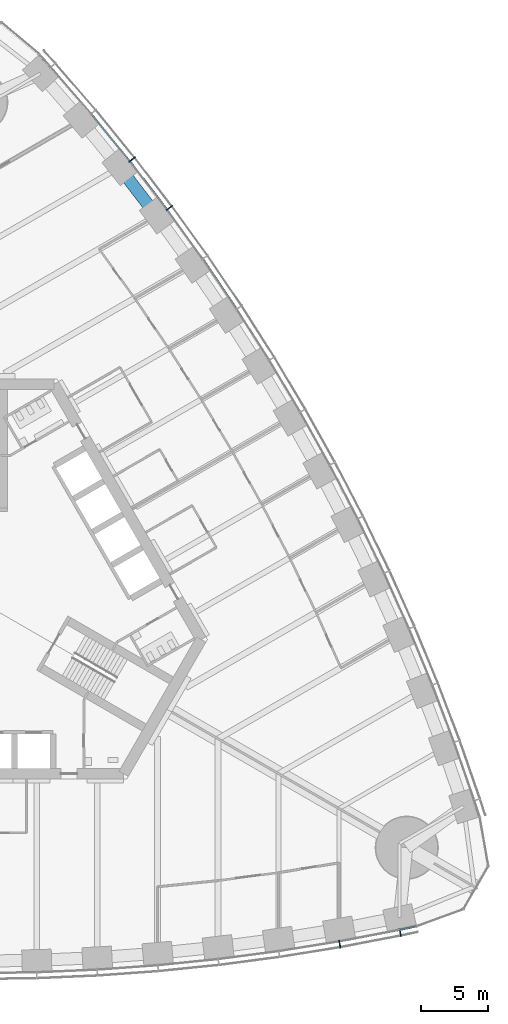
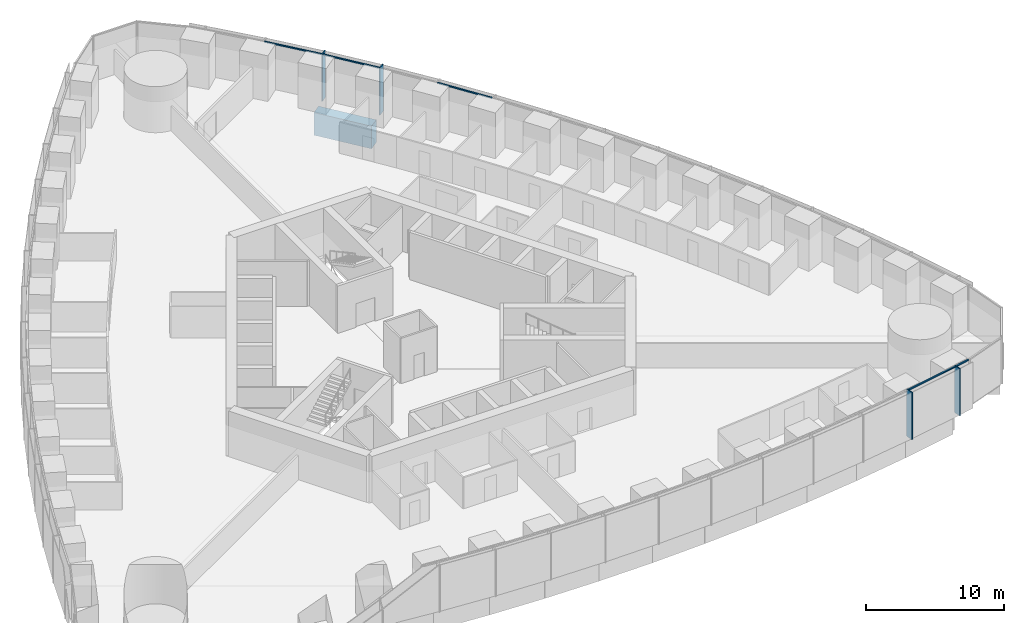
# One storey, part 5 of 19: 9 members, 1 beam, 2 elements without a shape of their own.
"""IFC4 building model written with IfcOpenShell, lengths in metres."""

import ifcopenshell
import ifcopenshell.guid

model = None  # the IFC model being written
_history = None  # IfcOwnerHistory: only IFC2X3 demands one
_inside = {}  # id of a spatial element -> (the spatial element, [elements in it])
_under = {}  # id of a project, library or spatial element -> (it, [spatial elements below it])
_declared = {}  # id of a project -> (the project, [libraries it declares])
_typed = {}  # id of a type object -> (the type object, [elements of that type])
_made_of = {}  # id of a material, layer set ... -> (it, [elements and type objects made of it])


def new_model(schema):
    """Start an empty IFC model of exactly this schema.

    Asked for "IFC4X3", IfcOpenShell would pick the latest addendum, in which some entities
    have other attributes; the version numbers below select the first issue.
    IFC2X3 requires an IfcOwnerHistory on every rooted entity: one is made here for all.
    """
    global model, _history
    if schema == "IFC4X3":
        model = ifcopenshell.file(schema_version=(4, 3, 0, 0))
    else:
        model = ifcopenshell.file(schema=schema)
    _inside.clear()
    _under.clear()
    _declared.clear()
    _typed.clear()
    _made_of.clear()
    _history = None
    if model.schema == "IFC2X3":
        org = make("IfcOrganization", Name="unknown")
        user = make(
            "IfcPersonAndOrganization",
            ThePerson=make("IfcPerson", FamilyName="unknown"),
            TheOrganization=org,
        )
        app = make(
            "IfcApplication",
            ApplicationDeveloper=org,
            Version="unknown",
            ApplicationFullName="unknown",
            ApplicationIdentifier="unknown",
        )
        _history = make(
            "IfcOwnerHistory",
            OwningUser=user,
            OwningApplication=app,
            ChangeAction="ADDED",
            CreationDate=0,
        )
    return model


def make(cls, **values):
    """One entity of the class cls with the attributes given. An attribute that is None is left unset."""
    return model.create_entity(
        cls, **{name: value for name, value in values.items() if value is not None}
    )


def rooted(cls, **values):
    """An entity with a GlobalId (a new one), such as an element, a storey or a relation."""
    return make(cls, GlobalId=ifcopenshell.guid.new(), OwnerHistory=_history, **values)


def si_unit(unit_type, name, prefix=None):
    """IfcSIUnit, for example si_unit("LENGTHUNIT", "METRE", prefix="MILLI")."""
    return make("IfcSIUnit", UnitType=unit_type, Prefix=prefix, Name=name)


def assignment(units):
    """IfcUnitAssignment: the units of a project."""
    return None if units is None else make("IfcUnitAssignment", Units=units)


def point(xyz):
    """IfcCartesianPoint."""
    return None if xyz is None else make("IfcCartesianPoint", Coordinates=xyz)


def direction(xyz):
    """IfcDirection."""
    return None if xyz is None else make("IfcDirection", DirectionRatios=xyz)


def frame(location, z_axis=None, x_axis=None):
    """IfcAxis2Placement3D, a coordinate frame: its origin and axes. An axis left out is left unset."""
    return make(
        "IfcAxis2Placement3D",
        Location=point(location),
        Axis=direction(z_axis),
        RefDirection=direction(x_axis),
    )


def frame_2d(location, x_axis=None):
    """IfcAxis2Placement2D, a coordinate frame in the plane: its origin and x axis."""
    return make(
        "IfcAxis2Placement2D", Location=point(location), RefDirection=direction(x_axis)
    )


def origin():
    """The frame at (0, 0, 0) with its axes left unset."""
    return frame((0.0, 0.0, 0.0))


def origin_2d():
    """The frame at (0, 0) in the plane with its x axis left unset."""
    return frame_2d((0.0, 0.0))


def place(relative_to, where):
    """IfcLocalPlacement: puts the frame where relative to a parent placement (None: the world)."""
    return make(
        "IfcLocalPlacement", PlacementRelTo=relative_to, RelativePlacement=where
    )


def context(
    kind, dimensions, precision=None, world=None, true_north=None, identifier=None
):
    """IfcGeometricRepresentationContext, for example the 3D "Model" context."""
    return make(
        "IfcGeometricRepresentationContext",
        ContextIdentifier=identifier,
        ContextType=kind,
        CoordinateSpaceDimension=dimensions,
        Precision=precision,
        WorldCoordinateSystem=world,
        TrueNorth=true_north,
    )


def subcontext(parent, identifier, kind, view, scale=None):
    """IfcGeometricRepresentationSubContext, for example "Body" below "Model"."""
    return make(
        "IfcGeometricRepresentationSubContext",
        ContextIdentifier=identifier,
        ContextType=kind,
        ParentContext=parent,
        TargetScale=scale,
        TargetView=view,
    )


def project(units=None, contexts=None):
    """IfcProject with its units and contexts."""
    return rooted(
        "IfcProject",
        Name="project",
        RepresentationContexts=contexts,
        UnitsInContext=assignment(units),
    )


def spatial(cls, under=None, at=None, **own):
    """A site, building, storey or space (cls), placed at a placement, below another one or the project."""
    s = rooted(cls, ObjectPlacement=at, **own)
    if under is not None:
        _under.setdefault(under.id(), (under, []))[1].append(s)
    return s


def profile(cls, at=None, kind="AREA", **sizes):
    """A parametric profile (cls). Its sizes go by their IFC names, for example OverallWidth=200.0."""
    return make(cls, ProfileType=kind, Position=at, **sizes)


def rectangle(**sizes):
    """IfcRectangleProfileDef."""
    return profile("IfcRectangleProfileDef", **sizes)


def extrude(swept, where, along, depth):
    """IfcExtrudedAreaSolid: the profile swept, set in the frame where, extruded along a direction by depth."""
    return make(
        "IfcExtrudedAreaSolid",
        SweptArea=swept,
        Position=where,
        ExtrudedDirection=direction(along),
        Depth=depth,
    )


def shape(context_of_items, identifier, shape_type, items):
    """IfcShapeRepresentation: the items that make up one representation, for example the "Body"."""
    return make(
        "IfcShapeRepresentation",
        ContextOfItems=context_of_items,
        RepresentationIdentifier=identifier,
        RepresentationType=shape_type,
        Items=items,
    )


def material(Name=None, Category=None):
    """IfcMaterial."""
    return make("IfcMaterial", Name=Name, Category=Category)


def material_profile(
    of_material, cross_section, Name=None, Category=None, Priority=None
):
    """IfcMaterialProfile: a cross section and its material."""
    return make(
        "IfcMaterialProfile",
        Name=Name,
        Material=of_material,
        Profile=cross_section,
        Priority=Priority,
        Category=Category,
    )


def profile_set(profiles, Name=None, composite=None):
    """IfcMaterialProfileSet."""
    return make(
        "IfcMaterialProfileSet",
        Name=Name,
        MaterialProfiles=profiles,
        CompositeProfile=composite,
    )


def made_of(thing, what):
    """Note that an element or type object is made of a material, layer set ...; save() writes the relation."""
    if what is not None:
        _made_of.setdefault(what.id(), (what, []))[1].append(thing)
    return thing


def type_object(cls, material=None, **own):
    """A type object (cls), such as IfcWallType, which elements share."""
    return made_of(rooted(cls, **own), material)


def element(
    cls,
    number,
    at=None,
    inside=None,
    cuts=None,
    type_object=None,
    material=None,
    context=None,
    identifier="Body",
    shape_type=None,
    held_by="IfcProductDefinitionShape",
    body=None,
    shapes=None,
    **own,
):
    """One element of the class cls, such as IfcWall. Its Tag is "e" and its number.

    at: its placement. inside: the storey or other place that contains it. cuts: it is an
    opening in that element (IfcRelVoidsElement). A single representation is given by context,
    identifier, shape_type and body (its items); several are given by shapes. held_by: the class
    of the entity that holds the representations. save() writes the other relations.
    """
    e = rooted(cls, Tag="e%d" % number, ObjectPlacement=at, **own)
    if body is not None:
        shapes = [shape(context, identifier, shape_type, body)]
    if shapes is not None:
        e.Representation = make(held_by, Representations=shapes)
    if inside is not None:
        _inside.setdefault(inside.id(), (inside, []))[1].append(e)
    if cuts is not None:
        rooted(
            "IfcRelVoidsElement", RelatingBuildingElement=cuts, RelatedOpeningElement=e
        )
    if type_object is not None:
        _typed.setdefault(type_object.id(), (type_object, []))[1].append(e)
    return made_of(e, material)


def aggregate(whole, parts):
    """IfcRelAggregates: a whole, such as a stair, and the parts it consists of."""
    return rooted("IfcRelAggregates", RelatingObject=whole, RelatedObjects=parts)


def save(model, path):
    """Write the relations noted so far, then the file.

    IfcRelAggregates (storeys below a building ...), IfcRelContainedInSpatialStructure (elements
    in a storey), IfcRelDefinesByType, IfcRelAssociatesMaterial and IfcRelDeclares: one each for
    every whole, place, type object, material and project.
    """
    for whole, parts in _under.values():
        aggregate(whole, parts)
    for where, things in _inside.values():
        rooted(
            "IfcRelContainedInSpatialStructure",
            RelatedElements=things,
            RelatingStructure=where,
        )
    for kind, things in _typed.values():
        rooted("IfcRelDefinesByType", RelatedObjects=things, RelatingType=kind)
    for what, things in _made_of.values():
        rooted("IfcRelAssociatesMaterial", RelatedObjects=things, RelatingMaterial=what)
    for by, libraries in _declared.values():
        rooted("IfcRelDeclares", RelatingContext=by, RelatedDefinitions=libraries)
    model.write(path)


model = new_model("IFC4")

# Units and contexts
model_context = context("Model", 3, precision=1e-05, world=origin(), true_north=direction((0.0, 1.0)))
body_context = subcontext(model_context, "Body", "Model", "MODEL_VIEW")
ifc_project = project(units=[si_unit("LENGTHUNIT", "METRE"), si_unit("AREAUNIT", "SQUARE_METRE"), si_unit("VOLUMEUNIT", "CUBIC_METRE"), si_unit("PLANEANGLEUNIT", "RADIAN"), si_unit("MASSUNIT", "GRAM", prefix="KILO")], contexts=[model_context])

# Site, building, storey
site_placement = place(None, origin())
site = spatial("IfcSite", under=ifc_project, at=site_placement, CompositionType="ELEMENT")
building_placement = place(site_placement, origin())
building = spatial("IfcBuilding", under=site, at=building_placement, Name="Trefoil Bronze Tower", CompositionType="ELEMENT")
storey_placement = place(building_placement, frame((0.0, 0.0, 79.5)))
storey = spatial("IfcBuildingStorey", under=building, at=storey_placement, Name="L18", CompositionType="ELEMENT", Elevation=79.5)

# Curtain wall, members
ifc_material_1 = material(Name="Tinted solar-control glass", Category="glass")
curtain_wall_type = type_object("IfcCurtainWallType", Name="Bronze office curtain wall", PredefinedType="USERDEFINED", material=ifc_material_1)
curtain_wall_1_placement = place(storey_placement, origin())
curtain_wall_1 = element("IfcCurtainWall", 1, at=curtain_wall_1_placement, inside=storey, type_object=curtain_wall_type, Name="CW-A L18 F1", ObjectType="CURTAIN WALL", PredefinedType="USERDEFINED")
ifc_material_2 = material(Name="Bronze-finish aluminium", Category="aluminium")
ifc_material_profile_1 = material_profile(ifc_material_2, rectangle(XDim=0.60009765625, YDim=0.080078125, at=origin_2d()), Name="CW-A mullion")
ifc_profile_set_1 = profile_set([ifc_material_profile_1], Name="Bronze-finish aluminium")
member_type_1 = type_object("IfcMemberType", Name="Bronze office curtain wall mullion", PredefinedType="MULLION", material=ifc_profile_set_1)
member_1_placement = place(storey_placement, frame((27.05224609375, -25.67578125, 0.0), z_axis=(0.0, 0.0, 1.0), x_axis=(-0.174131146426, 0.984722470468, 0.0)))
member_1 = element("IfcMember", 2, at=member_1_placement, type_object=member_type_1, Name="CW-A L18 F1 mullion 15", PredefinedType="MULLION", context=body_context, shape_type="SweptSolid", body=[
    extrude(rectangle(XDim=0.60009765625, YDim=0.080078125, at=origin_2d()), origin(), (0.0, 0.0, 1.0), 4.179931640625),
])
member_2_placement = place(storey_placement, frame((31.559326171875, -24.81005859375, 0.0), z_axis=(0.0, 0.0, 1.0), x_axis=(-0.197910006829, 0.98022019424, 0.0)))
member_2 = element("IfcMember", 3, at=member_2_placement, type_object=member_type_1, Name="CW-A L18 F1 mullion 16", PredefinedType="MULLION", context=body_context, shape_type="SweptSolid", body=[
    extrude(rectangle(XDim=0.60009765625, YDim=0.080078125, at=origin_2d()), origin(), (0.0, 0.0, 1.0), 4.179931640625),
])

curtain_wall_2_placement = place(storey_placement, origin())
curtain_wall_2 = element("IfcCurtainWall", 4, at=curtain_wall_2_placement, inside=storey, type_object=curtain_wall_type, Name="CW-A L18 F2", ObjectType="CURTAIN WALL", PredefinedType="USERDEFINED")
member_3_placement = place(storey_placement, frame((14.364013671875, 29.117919921875, 0.0), z_axis=(0.0, 0.0, 1.0), x_axis=(-0.802126748469, -0.59715381552, 0.0)))
member_3 = element("IfcMember", 5, at=member_3_placement, type_object=member_type_1, Name="CW-A L18 F2 mullion 13", PredefinedType="MULLION", context=body_context, shape_type="SweptSolid", body=[
    extrude(rectangle(XDim=0.60009765625, YDim=0.080078125, at=origin_2d()), origin(), (0.0, 0.0, 1.0), 4.179931640625),
])
member_4_placement = place(storey_placement, frame((11.595458984375, 32.7255859375, 0.0), z_axis=(0.0, 0.0, 1.0), x_axis=(-0.784304615744, -0.620375910011, 0.0)))
member_4 = element("IfcMember", 6, at=member_4_placement, type_object=member_type_1, Name="CW-A L18 F2 mullion 14", PredefinedType="MULLION", context=body_context, shape_type="SweptSolid", body=[
    extrude(rectangle(XDim=0.60009765625, YDim=0.080078125, at=origin_2d()), origin(), (0.0, 0.0, 1.0), 4.179931640625),
])

# Member
ifc_material_3 = material(Name="Bronze-finish aluminium", Category="aluminium")
ifc_material_profile_2 = material_profile(ifc_material_3, rectangle(XDim=0.1201171875, YDim=0.10009765625, at=origin_2d()), Name="CW-A transom")
ifc_profile_set_2 = profile_set([ifc_material_profile_2], Name="Bronze-finish aluminium")
member_type_2 = type_object("IfcMemberType", Name="Bronze office curtain wall transom", PredefinedType="USERDEFINED", material=ifc_profile_set_2)
member_5_placement = place(storey_placement, frame((27.05810546875, -25.470947265625, 4.1298828125), z_axis=(0.982053603997, 0.188602011855, 0.0), x_axis=(-0.188602011855, 0.982053603997, 0.0)))
member_5 = element("IfcMember", 7, at=member_5_placement, type_object=member_type_2, Name="CW-A L18 F1 transom 15", ObjectType="TRANSOM", PredefinedType="USERDEFINED", context=body_context, shape_type="SweptSolid", body=[
    extrude(rectangle(XDim=0.1201171875, YDim=0.10009765625, at=origin_2d()), origin(), (0.0, 0.0, 1.0), 4.502197265625),
])

member_6_placement = place(storey_placement, frame((31.559814453125, -24.605712890625, 4.1298828125), z_axis=(0.978266371807, 0.207352129942, 0.0), x_axis=(-0.207352129942, 0.978266371807, 0.0)))
member_6 = element("IfcMember", 8, at=member_6_placement, type_object=member_type_2, Name="CW-A L18 F1 transom 16", ObjectType="TRANSOM", PredefinedType="USERDEFINED", context=body_context, shape_type="SweptSolid", body=[
    extrude(rectangle(XDim=0.1201171875, YDim=0.10009765625, at=origin_2d()), origin(), (0.0, 0.0, 1.0), 1.21044921875),
])

aggregate(curtain_wall_1, [member_1, member_2, member_5, member_6])

member_7_placement = place(storey_placement, frame((19.364990234375, 21.627197265625, 4.1298828125), z_axis=(-0.561508153923, 0.827471203775, 0.0), x_axis=(-0.827471203775, -0.561508153923, 0.0)))
member_7 = element("IfcMember", 9, at=member_7_placement, type_object=member_type_2, Name="CW-A L18 F2 transom 11", ObjectType="TRANSOM", PredefinedType="USERDEFINED", context=body_context, shape_type="SweptSolid", body=[
    extrude(rectangle(XDim=0.1201171875, YDim=0.10009765625, at=origin_2d()), origin(), (0.0, 0.0, 1.0), 4.431884765625),
])

member_8_placement = place(storey_placement, frame((14.178466796875, 29.031494140625, 4.1298828125), z_axis=(-0.608829203216, 0.793301330713, 0.0), x_axis=(-0.793301330713, -0.608829203216, 0.0)))
member_8 = element("IfcMember", 10, at=member_8_placement, type_object=member_type_2, Name="CW-A L18 F2 transom 13", ObjectType="TRANSOM", PredefinedType="USERDEFINED", context=body_context, shape_type="SweptSolid", body=[
    extrude(rectangle(XDim=0.1201171875, YDim=0.10009765625, at=origin_2d()), origin(), (0.0, 0.0, 1.0), 4.458740234375),
])

member_9_placement = place(storey_placement, frame((11.412353515625, 32.6337890625, 4.1298828125), z_axis=(-0.631835540201, 0.775102477185, 0.0), x_axis=(-0.775102477185, -0.631835540201, 0.0)))
member_9 = element("IfcMember", 11, at=member_9_placement, type_object=member_type_2, Name="CW-A L18 F2 transom 14", ObjectType="TRANSOM", PredefinedType="USERDEFINED", context=body_context, shape_type="SweptSolid", body=[
    extrude(rectangle(XDim=0.1201171875, YDim=0.10009765625, at=origin_2d()), origin(), (0.0, 0.0, 1.0), 4.478271484375),
])

aggregate(curtain_wall_2, [member_3, member_4, member_7, member_8, member_9])

# Beam
ifc_material_4 = material(Name="Concrete B80", Category="concrete")
ifc_material_profile_3 = material_profile(ifc_material_4, rectangle(XDim=0.89990234375, YDim=2.0, at=origin_2d()), Name="RC 900x2000")
ifc_profile_set_3 = profile_set([ifc_material_profile_3], Name="Concrete B80")
beam_type = type_object("IfcBeamType", Name="Spandrel beam RC 900x2000", PredefinedType="SPANDREL", material=ifc_profile_set_3)
beam_placement = place(storey_placement, frame((13.42578125, 28.5361328125, -1.199951171875), z_axis=(-0.609338992146, 0.792909826305, 0.0), x_axis=(-0.792909826305, -0.609338992146, 0.0)))
element("IfcBeam", 12, at=beam_placement, inside=storey, type_object=beam_type, Name="Spandrel F2.13 L18", PredefinedType="SPANDREL", context=body_context, shape_type="SweptSolid", body=[
    extrude(rectangle(XDim=0.89990234375, YDim=2.0, at=origin_2d()), origin(), (0.0, 0.0, 1.0), 4.5390625),
])

save(model, "model.ifc")
